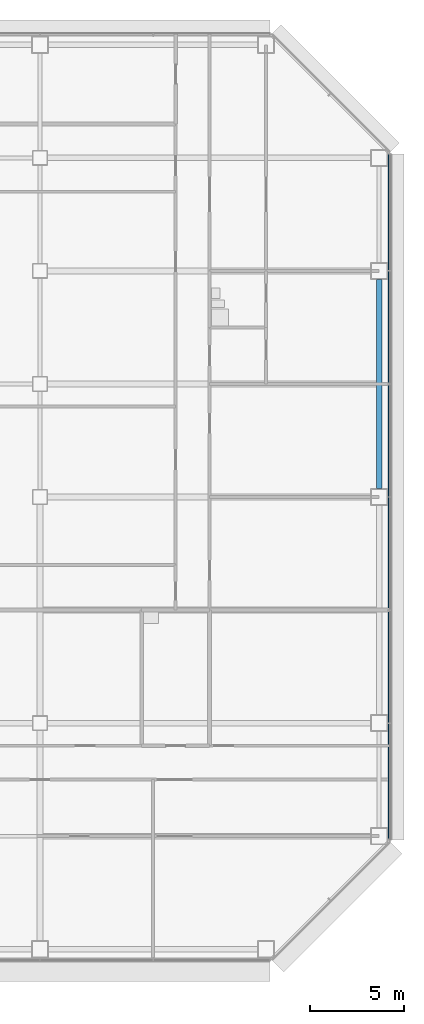
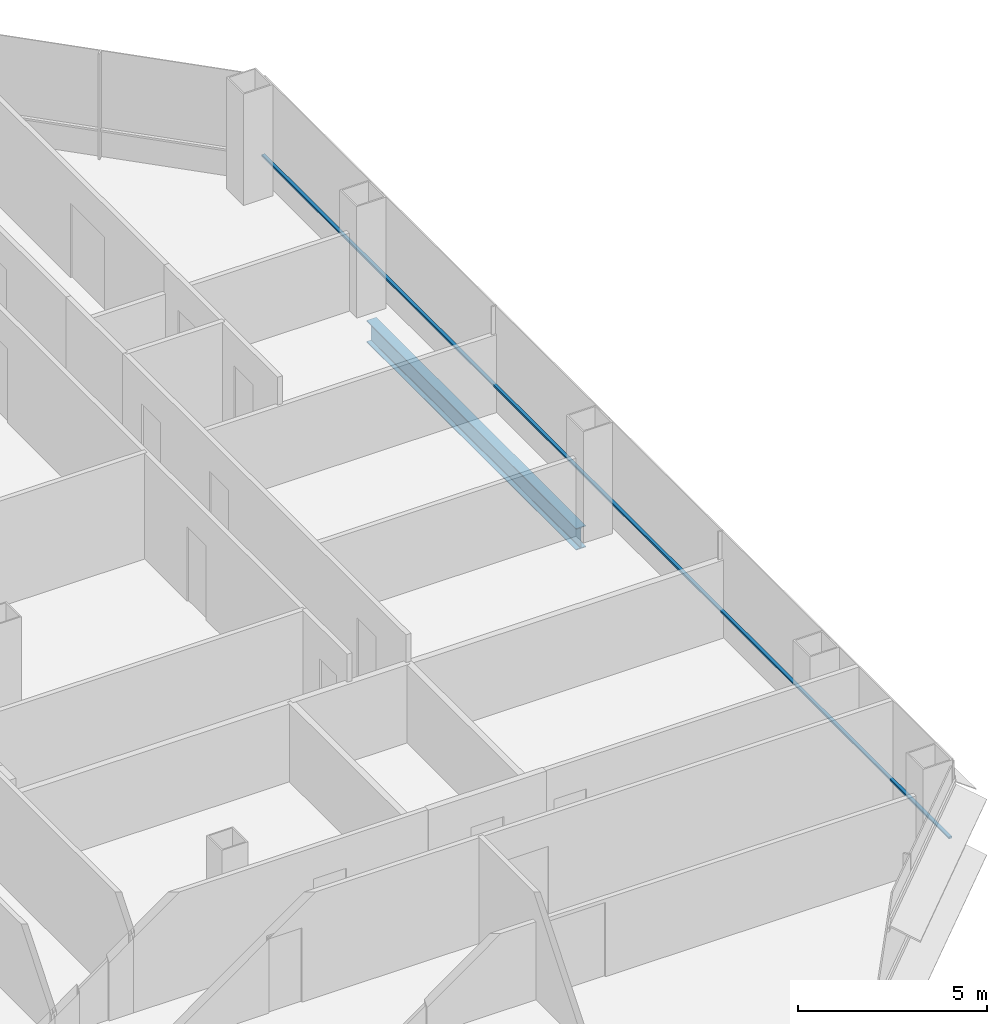
# One storey, part 17 of 27: 1 beam, 1 member, 1 element without a shape of its own.
"""IFC4 building model written with IfcOpenShell, lengths in metres."""

from ifc_helpers import new_model, si_unit, direction, frame, origin, origin_2d, place, context, subcontext, project, spatial, rectangle, i_section, extrude, material, material_profile, profile_set, type_object, element, aggregate, save


model = new_model("IFC4")

# Units and contexts
model_context = context("Model", 3, precision=1e-05, world=origin(), true_north=direction((0.0, 1.0)))
body_context = subcontext(model_context, "Body", "Model", "MODEL_VIEW")
ifc_project = project(units=[si_unit("LENGTHUNIT", "METRE"), si_unit("AREAUNIT", "SQUARE_METRE"), si_unit("VOLUMEUNIT", "CUBIC_METRE"), si_unit("PLANEANGLEUNIT", "RADIAN"), si_unit("MASSUNIT", "GRAM", prefix="KILO")], contexts=[model_context])

# Site, building, storey
site_placement = place(None, origin())
site = spatial("IfcSite", under=ifc_project, at=site_placement, CompositionType="ELEMENT")
building_placement = place(site_placement, origin())
building = spatial("IfcBuilding", under=site, at=building_placement, Name="Sorahane Residences", CompositionType="ELEMENT")
storey_placement = place(building_placement, frame((0.0, 0.0, 82.199951171875)))
storey = spatial("IfcBuildingStorey", under=building, at=storey_placement, Name="L17", CompositionType="ELEMENT", Elevation=82.199951171875)

# Curtain wall, member
ifc_material_1 = material(Name="Dark low-e glass and black anodised aluminium", Category="aluminium")
curtain_wall_type = type_object("IfcCurtainWallType", Name="Curtain wall CW-1 Typical unitised wall", PredefinedType="NOTDEFINED", material=ifc_material_1)
curtain_wall_placement = place(storey_placement, origin())
curtain_wall = element("IfcCurtainWall", 1, at=curtain_wall_placement, inside=storey, type_object=curtain_wall_type, Name="CW-1 curtain wall L17 E2", PredefinedType="NOTDEFINED")
ifc_material_2 = material(Name="Black anodised aluminium", Category="aluminium")
ifc_material_profile_1 = material_profile(ifc_material_2, rectangle(XDim=0.10009765625, YDim=0.06005859375, at=origin_2d()), Name="Curtain wall transom CW-1 black anodised aluminium 60x100")
ifc_profile_set_1 = profile_set([ifc_material_profile_1], Name="Black anodised aluminium")
member_type = type_object("IfcMemberType", Name="Curtain wall transom CW-1 black anodised aluminium 60x100", PredefinedType="USERDEFINED", material=ifc_profile_set_1)
member_placement = place(storey_placement, frame((66.530029296875, 5.801513671875, 0.900146484375), z_axis=(0.0, 1.0, 0.0), x_axis=(-1.0, 0.0, 0.0)))
member = element("IfcMember", 2, at=member_placement, type_object=member_type, Name="CW-1 transom L17 E2", ObjectType="TRANSOM", PredefinedType="USERDEFINED", context=body_context, shape_type="SweptSolid", body=[
    extrude(rectangle(XDim=0.10009765625, YDim=0.06005859375, at=origin_2d()), origin(), (0.0, 0.0, 1.0), 36.39697265625),
])
aggregate(curtain_wall, [member])

# Beam
ifc_material_3 = material(Name="Steel Q355B", Category="steel")
ifc_material_profile_2 = material_profile(ifc_material_3, i_section(OverallWidth=0.300048828125, OverallDepth=0.699951171875, WebThickness=0.012939453125, FlangeThickness=0.02392578125, FilletRadius=0.028076171875, at=origin_2d()), Name="HN 700x300x13x24")
ifc_profile_set_2 = profile_set([ifc_material_profile_2], Name="Steel Q355B")
beam_type = type_object("IfcBeamType", Name="Steel floor beam HN 700x300x13x24 Q355B", PredefinedType="BEAM", material=ifc_profile_set_2)
beam_placement = place(storey_placement, frame((66.0, 24.449951171875, -0.530029296875), z_axis=(0.0, 1.0, 0.0), x_axis=(-1.0, 0.0, 0.0)))
element("IfcBeam", 3, at=beam_placement, inside=storey, type_object=beam_type, Name="Beam L17 058", PredefinedType="BEAM", context=body_context, shape_type="SweptSolid", body=[
    extrude(i_section(OverallWidth=0.300048828125, OverallDepth=0.699951171875, WebThickness=0.012939453125, FlangeThickness=0.02392578125, FilletRadius=0.028076171875, at=origin_2d()), origin(), (0.0, 0.0, 1.0), 11.10009765625),
])

save(model, "model.ifc")
